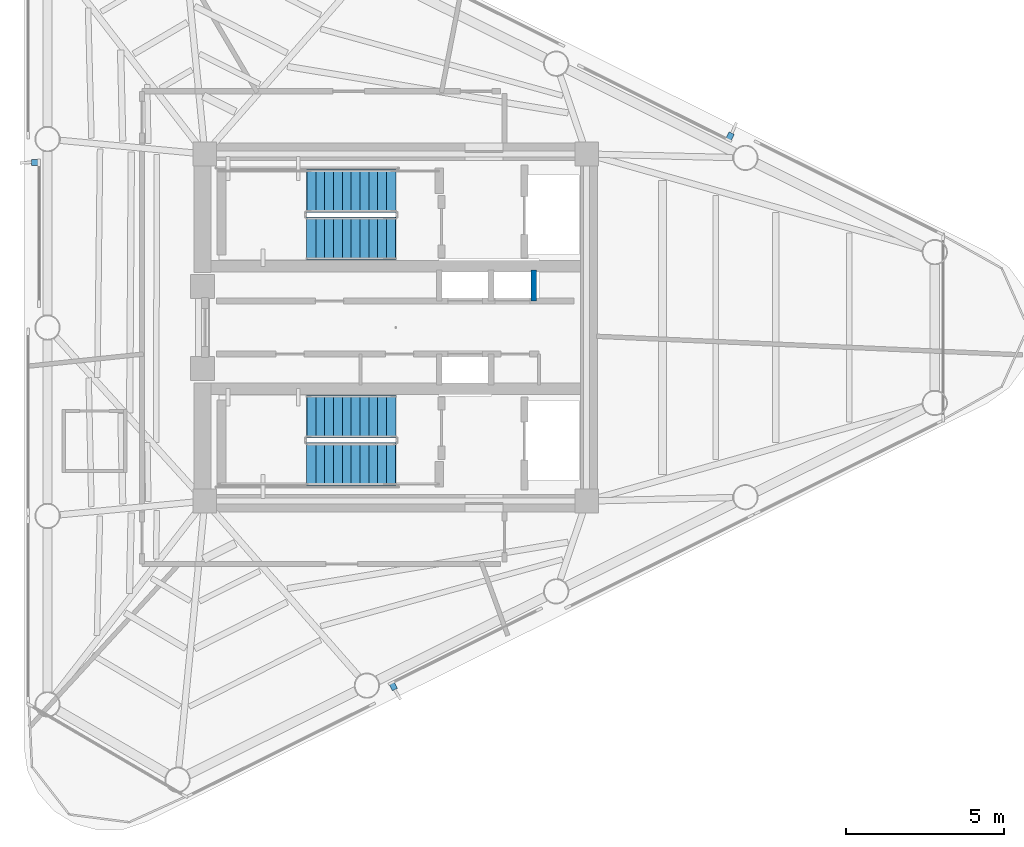
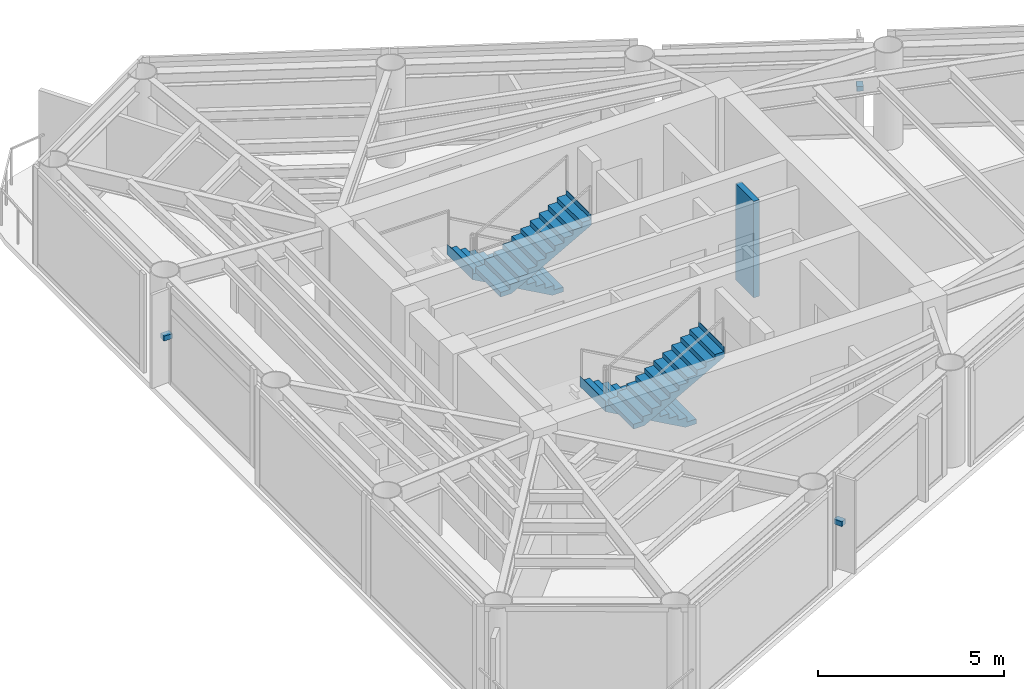
# One storey, part 6 of 10: 4 stair flights, 3 discrete accessories, 1 wall, 2 elements without a shape of their own.
"""IFC4 building model written with IfcOpenShell, lengths in metres."""

import ifcopenshell
import ifcopenshell.guid

model = None  # the IFC model being written
_history = None  # IfcOwnerHistory: only IFC2X3 demands one
_inside = {}  # id of a spatial element -> (the spatial element, [elements in it])
_under = {}  # id of a project, library or spatial element -> (it, [spatial elements below it])
_declared = {}  # id of a project -> (the project, [libraries it declares])
_typed = {}  # id of a type object -> (the type object, [elements of that type])
_made_of = {}  # id of a material, layer set ... -> (it, [elements and type objects made of it])


def new_model(schema):
    """Start an empty IFC model of exactly this schema.

    Asked for "IFC4X3", IfcOpenShell would pick the latest addendum, in which some entities
    have other attributes; the version numbers below select the first issue.
    IFC2X3 requires an IfcOwnerHistory on every rooted entity: one is made here for all.
    """
    global model, _history
    if schema == "IFC4X3":
        model = ifcopenshell.file(schema_version=(4, 3, 0, 0))
    else:
        model = ifcopenshell.file(schema=schema)
    _inside.clear()
    _under.clear()
    _declared.clear()
    _typed.clear()
    _made_of.clear()
    _history = None
    if model.schema == "IFC2X3":
        org = make("IfcOrganization", Name="unknown")
        user = make(
            "IfcPersonAndOrganization",
            ThePerson=make("IfcPerson", FamilyName="unknown"),
            TheOrganization=org,
        )
        app = make(
            "IfcApplication",
            ApplicationDeveloper=org,
            Version="unknown",
            ApplicationFullName="unknown",
            ApplicationIdentifier="unknown",
        )
        _history = make(
            "IfcOwnerHistory",
            OwningUser=user,
            OwningApplication=app,
            ChangeAction="ADDED",
            CreationDate=0,
        )
    return model


def make(cls, **values):
    """One entity of the class cls with the attributes given. An attribute that is None is left unset."""
    return model.create_entity(
        cls, **{name: value for name, value in values.items() if value is not None}
    )


def rooted(cls, **values):
    """An entity with a GlobalId (a new one), such as an element, a storey or a relation."""
    return make(cls, GlobalId=ifcopenshell.guid.new(), OwnerHistory=_history, **values)


def si_unit(unit_type, name, prefix=None):
    """IfcSIUnit, for example si_unit("LENGTHUNIT", "METRE", prefix="MILLI")."""
    return make("IfcSIUnit", UnitType=unit_type, Prefix=prefix, Name=name)


def assignment(units):
    """IfcUnitAssignment: the units of a project."""
    return None if units is None else make("IfcUnitAssignment", Units=units)


def point(xyz):
    """IfcCartesianPoint."""
    return None if xyz is None else make("IfcCartesianPoint", Coordinates=xyz)


def direction(xyz):
    """IfcDirection."""
    return None if xyz is None else make("IfcDirection", DirectionRatios=xyz)


def frame(location, z_axis=None, x_axis=None):
    """IfcAxis2Placement3D, a coordinate frame: its origin and axes. An axis left out is left unset."""
    return make(
        "IfcAxis2Placement3D",
        Location=point(location),
        Axis=direction(z_axis),
        RefDirection=direction(x_axis),
    )


def frame_2d(location, x_axis=None):
    """IfcAxis2Placement2D, a coordinate frame in the plane: its origin and x axis."""
    return make(
        "IfcAxis2Placement2D", Location=point(location), RefDirection=direction(x_axis)
    )


def origin():
    """The frame at (0, 0, 0) with its axes left unset."""
    return frame((0.0, 0.0, 0.0))


def origin_2d():
    """The frame at (0, 0) in the plane with its x axis left unset."""
    return frame_2d((0.0, 0.0))


def place(relative_to, where):
    """IfcLocalPlacement: puts the frame where relative to a parent placement (None: the world)."""
    return make(
        "IfcLocalPlacement", PlacementRelTo=relative_to, RelativePlacement=where
    )


def context(
    kind, dimensions, precision=None, world=None, true_north=None, identifier=None
):
    """IfcGeometricRepresentationContext, for example the 3D "Model" context."""
    return make(
        "IfcGeometricRepresentationContext",
        ContextIdentifier=identifier,
        ContextType=kind,
        CoordinateSpaceDimension=dimensions,
        Precision=precision,
        WorldCoordinateSystem=world,
        TrueNorth=true_north,
    )


def subcontext(parent, identifier, kind, view, scale=None):
    """IfcGeometricRepresentationSubContext, for example "Body" below "Model"."""
    return make(
        "IfcGeometricRepresentationSubContext",
        ContextIdentifier=identifier,
        ContextType=kind,
        ParentContext=parent,
        TargetScale=scale,
        TargetView=view,
    )


def project(units=None, contexts=None):
    """IfcProject with its units and contexts."""
    return rooted(
        "IfcProject",
        Name="project",
        RepresentationContexts=contexts,
        UnitsInContext=assignment(units),
    )


def spatial(cls, under=None, at=None, **own):
    """A site, building, storey or space (cls), placed at a placement, below another one or the project."""
    s = rooted(cls, ObjectPlacement=at, **own)
    if under is not None:
        _under.setdefault(under.id(), (under, []))[1].append(s)
    return s


def polyline(points):
    """IfcPolyline through the points."""
    return make("IfcPolyline", Points=[point(p) for p in points])


def profile(cls, at=None, kind="AREA", **sizes):
    """A parametric profile (cls). Its sizes go by their IFC names, for example OverallWidth=200.0."""
    return make(cls, ProfileType=kind, Position=at, **sizes)


def rectangle(**sizes):
    """IfcRectangleProfileDef."""
    return profile("IfcRectangleProfileDef", **sizes)


def outline(outer, holes=None, kind="AREA"):
    """IfcArbitraryClosedProfileDef: a profile drawn as a closed curve; with holes, ...WithVoids."""
    if holes is None:
        return make("IfcArbitraryClosedProfileDef", ProfileType=kind, OuterCurve=outer)
    return make(
        "IfcArbitraryProfileDefWithVoids",
        ProfileType=kind,
        OuterCurve=outer,
        InnerCurves=holes,
    )


def extrude(swept, where, along, depth):
    """IfcExtrudedAreaSolid: the profile swept, set in the frame where, extruded along a direction by depth."""
    return make(
        "IfcExtrudedAreaSolid",
        SweptArea=swept,
        Position=where,
        ExtrudedDirection=direction(along),
        Depth=depth,
    )


def shape(context_of_items, identifier, shape_type, items):
    """IfcShapeRepresentation: the items that make up one representation, for example the "Body"."""
    return make(
        "IfcShapeRepresentation",
        ContextOfItems=context_of_items,
        RepresentationIdentifier=identifier,
        RepresentationType=shape_type,
        Items=items,
    )


def source(mapping_origin, context_of_items, identifier, shape_type, items):
    """IfcRepresentationMap: a shape defined once, which mapped items show again and again."""
    return make(
        "IfcRepresentationMap",
        MappingOrigin=mapping_origin,
        MappedRepresentation=shape(context_of_items, identifier, shape_type, items),
    )


def transform(
    local_origin,
    x_axis=None,
    y_axis=None,
    z_axis=None,
    scale=None,
    scale2=None,
    scale3=None,
    uniform=True,
):
    """IfcCartesianTransformationOperator3D, or its non-uniform kind. x_axis, y_axis, z_axis: its Axis1, 2, 3."""
    if uniform:
        return make(
            "IfcCartesianTransformationOperator3D",
            Axis1=direction(x_axis),
            Axis2=direction(y_axis),
            LocalOrigin=point(local_origin),
            Scale=scale,
            Axis3=direction(z_axis),
        )
    return make(
        "IfcCartesianTransformationOperator3DnonUniform",
        Axis1=direction(x_axis),
        Axis2=direction(y_axis),
        LocalOrigin=point(local_origin),
        Scale=scale,
        Axis3=direction(z_axis),
        Scale2=scale2,
        Scale3=scale3,
    )


def mapped(mapping_source, mapping_target):
    """IfcMappedItem: shows the shape of a source again, moved by a transform."""
    return make(
        "IfcMappedItem", MappingSource=mapping_source, MappingTarget=mapping_target
    )


def material(Name=None, Category=None):
    """IfcMaterial."""
    return make("IfcMaterial", Name=Name, Category=Category)


def layer(
    of_material, thickness, ventilated=None, Name=None, Category=None, Priority=None
):
    """IfcMaterialLayer: one layer of a wall or slab, of a material (None: an air gap)."""
    return make(
        "IfcMaterialLayer",
        Material=of_material,
        LayerThickness=thickness,
        IsVentilated=ventilated,
        Name=Name,
        Category=Category,
        Priority=Priority,
    )


def layer_set(layers, Name=None):
    """IfcMaterialLayerSet."""
    return make("IfcMaterialLayerSet", MaterialLayers=layers, LayerSetName=Name)


def made_of(thing, what):
    """Note that an element or type object is made of a material, layer set ...; save() writes the relation."""
    if what is not None:
        _made_of.setdefault(what.id(), (what, []))[1].append(thing)
    return thing


def type_object(cls, material=None, **own):
    """A type object (cls), such as IfcWallType, which elements share."""
    return made_of(rooted(cls, **own), material)


def element(
    cls,
    number,
    at=None,
    inside=None,
    cuts=None,
    type_object=None,
    material=None,
    context=None,
    identifier="Body",
    shape_type=None,
    held_by="IfcProductDefinitionShape",
    body=None,
    shapes=None,
    **own,
):
    """One element of the class cls, such as IfcWall. Its Tag is "e" and its number.

    at: its placement. inside: the storey or other place that contains it. cuts: it is an
    opening in that element (IfcRelVoidsElement). A single representation is given by context,
    identifier, shape_type and body (its items); several are given by shapes. held_by: the class
    of the entity that holds the representations. save() writes the other relations.
    """
    e = rooted(cls, Tag="e%d" % number, ObjectPlacement=at, **own)
    if body is not None:
        shapes = [shape(context, identifier, shape_type, body)]
    if shapes is not None:
        e.Representation = make(held_by, Representations=shapes)
    if inside is not None:
        _inside.setdefault(inside.id(), (inside, []))[1].append(e)
    if cuts is not None:
        rooted(
            "IfcRelVoidsElement", RelatingBuildingElement=cuts, RelatedOpeningElement=e
        )
    if type_object is not None:
        _typed.setdefault(type_object.id(), (type_object, []))[1].append(e)
    return made_of(e, material)


def aggregate(whole, parts):
    """IfcRelAggregates: a whole, such as a stair, and the parts it consists of."""
    return rooted("IfcRelAggregates", RelatingObject=whole, RelatedObjects=parts)


def save(model, path):
    """Write the relations noted so far, then the file.

    IfcRelAggregates (storeys below a building ...), IfcRelContainedInSpatialStructure (elements
    in a storey), IfcRelDefinesByType, IfcRelAssociatesMaterial and IfcRelDeclares: one each for
    every whole, place, type object, material and project.
    """
    for whole, parts in _under.values():
        aggregate(whole, parts)
    for where, things in _inside.values():
        rooted(
            "IfcRelContainedInSpatialStructure",
            RelatedElements=things,
            RelatingStructure=where,
        )
    for kind, things in _typed.values():
        rooted("IfcRelDefinesByType", RelatedObjects=things, RelatingType=kind)
    for what, things in _made_of.values():
        rooted("IfcRelAssociatesMaterial", RelatedObjects=things, RelatingMaterial=what)
    for by, libraries in _declared.values():
        rooted("IfcRelDeclares", RelatingContext=by, RelatedDefinitions=libraries)
    model.write(path)


model = new_model("IFC4")

# Units and contexts
model_context = context("Model", 3, precision=1e-05, world=origin(), true_north=direction((0.0, 1.0)))
body_context = subcontext(model_context, "Body", "Model", "MODEL_VIEW")
ifc_project = project(units=[si_unit("LENGTHUNIT", "METRE"), si_unit("AREAUNIT", "SQUARE_METRE"), si_unit("VOLUMEUNIT", "CUBIC_METRE"), si_unit("PLANEANGLEUNIT", "RADIAN"), si_unit("MASSUNIT", "GRAM", prefix="KILO")], contexts=[model_context])

# Site, building, storey
site_placement = place(None, origin())
site = spatial("IfcSite", under=ifc_project, at=site_placement, CompositionType="ELEMENT")
building_placement = place(site_placement, origin())
building = spatial("IfcBuilding", under=site, at=building_placement, Name="Yunling Apex Tower", CompositionType="ELEMENT")
storey_placement = place(building_placement, frame((0.0, 0.0, 314.0)))
storey = spatial("IfcBuildingStorey", under=building, at=storey_placement, Name="L77", CompositionType="ELEMENT", Elevation=314.0)

# Wall
ifc_material_1 = material(Name="Autoclaved aerated concrete masonry", Category="masonry")
ifc_layer = layer(ifc_material_1, 0.179931640625)
ifc_layer_set = layer_set([ifc_layer], Name="Autoclaved aerated concrete masonry")
wall_type = type_object("IfcWallType", Name="WL-SHF-2", PredefinedType="PLUMBINGWALL", material=ifc_layer_set)
wall_placement = place(storey_placement, frame((4.3798828125, 0.840087890625, 0.0), z_axis=(0.0, 0.0, 1.0), x_axis=(0.0, 1.0, 0.0)))
element("IfcWall", 1, at=wall_placement, inside=storey, type_object=wall_type, Name="WL-END-H3E-L77", PredefinedType="PLUMBINGWALL", context=body_context, shape_type="SweptSolid", body=[
    extrude(rectangle(XDim=0.97998046875, YDim=0.179931640625, at=frame_2d((0.489990234375, 0.0))), origin(), (0.0, 0.0, 1.0), 3.169921875),
])

# Stair, stair flights
ifc_material_2 = material(Name="Concrete C40", Category="concrete")
stair_type = type_object("IfcStairType", Name="ST-TWR-3", PredefinedType="HALF_TURN_STAIR", material=ifc_material_2)
stair_1_placement = place(storey_placement, origin())
stair_1 = element("IfcStair", 2, at=stair_1_placement, inside=storey, type_object=stair_type, Name="L77 North Core Smokeproof Exit Stair ST-1", PredefinedType="HALF_TURN_STAIR")
stair_flight_type = type_object("IfcStairFlightType", Name="SFL-TWR-3", PredefinedType="STRAIGHT", material=ifc_material_2)
stair_flight_1_placement = place(storey_placement, frame((-0.010009765625, 4.330078125, 0.0), z_axis=(0.0, 0.0, 1.0), x_axis=(-1.0, 0.0, 0.0)))
stair_flight_1 = element("IfcStairFlight", 3, at=stair_flight_1_placement, type_object=stair_flight_type, Name="ST-1 flight 1", NumberOfRisers=11, NumberOfTreads=10, PredefinedType="STRAIGHT", RiserHeight=0.156818182, TreadLength=0.28, context=body_context, shape_type="SweptSolid", body=[
    extrude(outline(polyline([(-0.011962890625, 0.0), (-0.011962890625, 0.15673828125), (0.0, 0.15673828125), (0.280029296875, 0.15673828125), (0.280029296875, 0.313720703125), (0.56005859375, 0.313720703125), (0.56005859375, 0.470458984375), (0.840087890625, 0.470458984375), (0.840087890625, 0.627197265625), (1.1201171875, 0.627197265625), (1.1201171875, 0.7841796875), (1.39990234375, 0.7841796875), (1.39990234375, 0.94091796875), (1.679931640625, 0.94091796875), (1.679931640625, 1.09765625), (1.9599609375, 1.09765625), (1.9599609375, 1.254638671875), (2.239990234375, 1.254638671875), (2.239990234375, 1.411376953125), (2.52001953125, 1.411376953125), (2.52001953125, 1.568115234375), (2.800048828125, 1.568115234375), (2.800048828125, 1.72509765625), (2.81201171875, 1.72509765625), (2.81201171875, 1.385009765625), (0.3271484375, 0.0), (-0.011962890625, 0.0)])), frame((0.0, 0.68017578125, 0.0), z_axis=(0.0, -1.0, 0.0), x_axis=(1.0, 0.0, 0.0)), (0.0, 0.0, 1.0), 1.360107421875),
])
stair_flight_2_placement = place(storey_placement, frame((-2.81005859375, 2.820068359375, 1.72509765625), z_axis=(0.0, 0.0, 1.0), x_axis=(1.0, 0.0, 0.0)))
stair_flight_2 = element("IfcStairFlight", 4, at=stair_flight_2_placement, type_object=stair_flight_type, Name="ST-1 flight 2", NumberOfRisers=11, NumberOfTreads=10, PredefinedType="STRAIGHT", RiserHeight=0.156818182, TreadLength=0.28, context=body_context, shape_type="SweptSolid", body=[
    extrude(outline(polyline([(-0.011962890625, 0.0), (-0.011962890625, 0.15673828125), (0.0, 0.15673828125), (0.280029296875, 0.15673828125), (0.280029296875, 0.313720703125), (0.56005859375, 0.313720703125), (0.56005859375, 0.470458984375), (0.840087890625, 0.470458984375), (0.840087890625, 0.627197265625), (1.1201171875, 0.627197265625), (1.1201171875, 0.7841796875), (1.39990234375, 0.7841796875), (1.39990234375, 0.94091796875), (1.679931640625, 0.94091796875), (1.679931640625, 1.09765625), (1.9599609375, 1.09765625), (1.9599609375, 1.254638671875), (2.239990234375, 1.254638671875), (2.239990234375, 1.411376953125), (2.52001953125, 1.411376953125), (2.52001953125, 1.568115234375), (2.800048828125, 1.568115234375), (2.800048828125, 1.72509765625), (2.81201171875, 1.72509765625), (2.81201171875, 1.385009765625), (0.3271484375, 0.0), (-0.011962890625, 0.0)])), frame((0.0, 0.68017578125, 0.0), z_axis=(0.0, -1.0, 0.0), x_axis=(1.0, 0.0, 0.0)), (0.0, 0.0, 1.0), 1.360107421875),
])
aggregate(stair_1, [stair_flight_1, stair_flight_2])

stair_2_placement = place(storey_placement, origin())
stair_2 = element("IfcStair", 5, at=stair_2_placement, inside=storey, type_object=stair_type, Name="L77 South Core Smokeproof Exit Stair ST-2", PredefinedType="HALF_TURN_STAIR")
stair_flight_3_placement = place(storey_placement, frame((-0.010009765625, -2.820068359375, 0.0), z_axis=(0.0, 0.0, 1.0), x_axis=(-1.0, 0.0, 0.0)))
stair_flight_3 = element("IfcStairFlight", 6, at=stair_flight_3_placement, type_object=stair_flight_type, Name="ST-2 flight 1", NumberOfRisers=11, NumberOfTreads=10, PredefinedType="STRAIGHT", RiserHeight=0.156818182, TreadLength=0.28, context=body_context, shape_type="SweptSolid", body=[
    extrude(outline(polyline([(-0.011962890625, 0.0), (-0.011962890625, 0.15673828125), (0.0, 0.15673828125), (0.280029296875, 0.15673828125), (0.280029296875, 0.313720703125), (0.56005859375, 0.313720703125), (0.56005859375, 0.470458984375), (0.840087890625, 0.470458984375), (0.840087890625, 0.627197265625), (1.1201171875, 0.627197265625), (1.1201171875, 0.7841796875), (1.39990234375, 0.7841796875), (1.39990234375, 0.94091796875), (1.679931640625, 0.94091796875), (1.679931640625, 1.09765625), (1.9599609375, 1.09765625), (1.9599609375, 1.254638671875), (2.239990234375, 1.254638671875), (2.239990234375, 1.411376953125), (2.52001953125, 1.411376953125), (2.52001953125, 1.568115234375), (2.800048828125, 1.568115234375), (2.800048828125, 1.72509765625), (2.81201171875, 1.72509765625), (2.81201171875, 1.385009765625), (0.3271484375, 0.0), (-0.011962890625, 0.0)])), frame((0.0, 0.68017578125, 0.0), z_axis=(0.0, -1.0, 0.0), x_axis=(1.0, 0.0, 0.0)), (0.0, 0.0, 1.0), 1.360107421875),
])
stair_flight_4_placement = place(storey_placement, frame((-2.81005859375, -4.330078125, 1.72509765625), z_axis=(0.0, 0.0, 1.0), x_axis=(1.0, 0.0, 0.0)))
stair_flight_4 = element("IfcStairFlight", 7, at=stair_flight_4_placement, type_object=stair_flight_type, Name="ST-2 flight 2", NumberOfRisers=11, NumberOfTreads=10, PredefinedType="STRAIGHT", RiserHeight=0.156818182, TreadLength=0.28, context=body_context, shape_type="SweptSolid", body=[
    extrude(outline(polyline([(-0.011962890625, 0.0), (-0.011962890625, 0.15673828125), (0.0, 0.15673828125), (0.280029296875, 0.15673828125), (0.280029296875, 0.313720703125), (0.56005859375, 0.313720703125), (0.56005859375, 0.470458984375), (0.840087890625, 0.470458984375), (0.840087890625, 0.627197265625), (1.1201171875, 0.627197265625), (1.1201171875, 0.7841796875), (1.39990234375, 0.7841796875), (1.39990234375, 0.94091796875), (1.679931640625, 0.94091796875), (1.679931640625, 1.09765625), (1.9599609375, 1.09765625), (1.9599609375, 1.254638671875), (2.239990234375, 1.254638671875), (2.239990234375, 1.411376953125), (2.52001953125, 1.411376953125), (2.52001953125, 1.568115234375), (2.800048828125, 1.568115234375), (2.800048828125, 1.72509765625), (2.81201171875, 1.72509765625), (2.81201171875, 1.385009765625), (0.3271484375, 0.0), (-0.011962890625, 0.0)])), frame((0.0, 0.68017578125, 0.0), z_axis=(0.0, -1.0, 0.0), x_axis=(1.0, 0.0, 0.0)), (0.0, 0.0, 1.0), 1.360107421875),
])
aggregate(stair_2, [stair_flight_3, stair_flight_4])

# Discrete accessories
ifc_material_3 = material(Name="Steel Q355B", Category="steel")
discrete_accessory_type = type_object("IfcDiscreteAccessoryType", Name="BK-FIN-1", PredefinedType="BRACKET", material=ifc_material_3)
shared_shape = source(origin(), body_context, "Body", "SweptSolid", [
    extrude(rectangle(XDim=0.179931640625, YDim=0.260009765625, at=origin_2d()), origin(), (0.0, 0.0, 1.0), 0.159912109375),
])
for number, where, z_axis, x_axis, name in (
    (8, (-0.08203125, -11.361083984375, 1.51513671875), (0.0, 0.0, 1.0), (0.895245648325, 0.445572922377, 0.0), "CW-L77-F1-B2-BRK-01-1"),
    (9, (10.59326171875, 6.047607421875, 1.51513671875), (0.0, 0.0, 1.0), (-0.895245648325, 0.445572922377, 0.0), "CW-L77-F2-B2-BRK-01-1"),
    (10, (-11.417236328125, 5.232666015625, 1.51513671875), (0.0, 0.0, 1.0), (0.0, -1.0, 0.0), "CW-L77-F3-B2-BRK-01-1"),
):
    element("IfcDiscreteAccessory", number, at=place(storey_placement, frame(where, z_axis=z_axis, x_axis=x_axis)), inside=storey, type_object=discrete_accessory_type, Name=name, PredefinedType="BRACKET", context=body_context, shape_type="MappedRepresentation", body=[
        mapped(shared_shape, transform((0.0, 0.0, 0.0), scale=1.0)),
    ])

save(model, "model.ifc")
